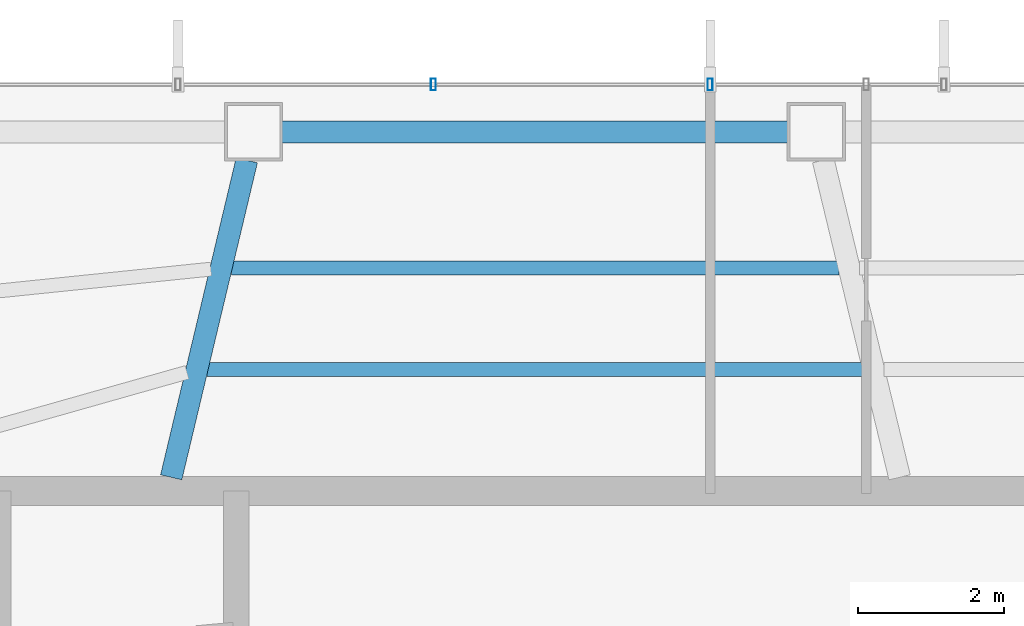
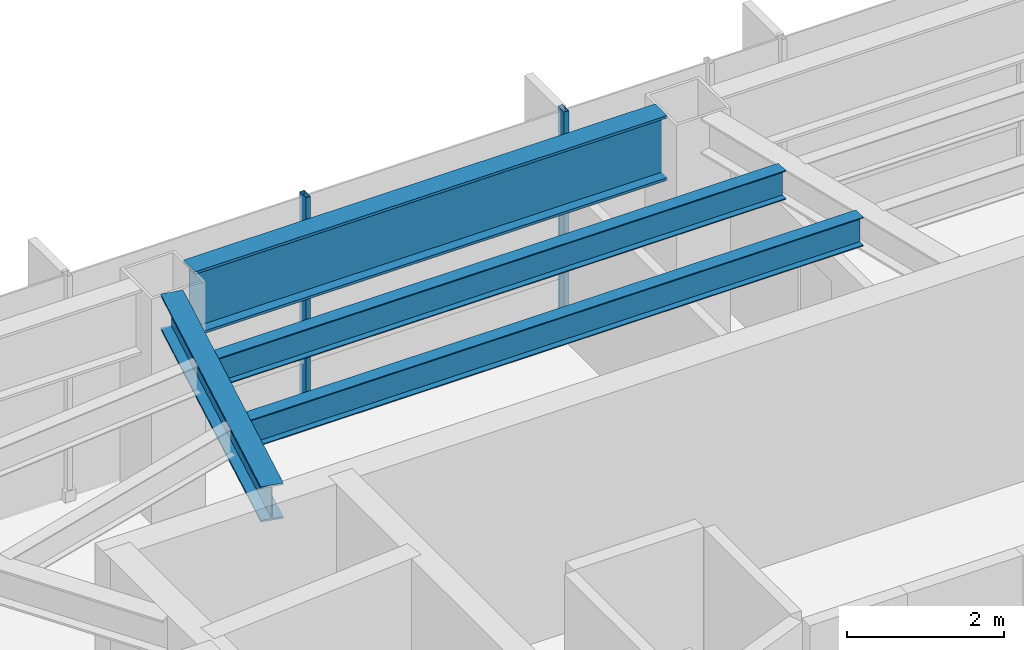
# One storey, part 14 of 28: 4 beams, 2 members, 1 element without a shape of its own.
"""IFC4 building model written with IfcOpenShell, lengths in metres."""

import ifcopenshell
import ifcopenshell.guid

model = None  # the IFC model being written
_history = None  # IfcOwnerHistory: only IFC2X3 demands one
_inside = {}  # id of a spatial element -> (the spatial element, [elements in it])
_under = {}  # id of a project, library or spatial element -> (it, [spatial elements below it])
_declared = {}  # id of a project -> (the project, [libraries it declares])
_typed = {}  # id of a type object -> (the type object, [elements of that type])
_made_of = {}  # id of a material, layer set ... -> (it, [elements and type objects made of it])


def new_model(schema):
    """Start an empty IFC model of exactly this schema.

    Asked for "IFC4X3", IfcOpenShell would pick the latest addendum, in which some entities
    have other attributes; the version numbers below select the first issue.
    IFC2X3 requires an IfcOwnerHistory on every rooted entity: one is made here for all.
    """
    global model, _history
    if schema == "IFC4X3":
        model = ifcopenshell.file(schema_version=(4, 3, 0, 0))
    else:
        model = ifcopenshell.file(schema=schema)
    _inside.clear()
    _under.clear()
    _declared.clear()
    _typed.clear()
    _made_of.clear()
    _history = None
    if model.schema == "IFC2X3":
        org = make("IfcOrganization", Name="unknown")
        user = make(
            "IfcPersonAndOrganization",
            ThePerson=make("IfcPerson", FamilyName="unknown"),
            TheOrganization=org,
        )
        app = make(
            "IfcApplication",
            ApplicationDeveloper=org,
            Version="unknown",
            ApplicationFullName="unknown",
            ApplicationIdentifier="unknown",
        )
        _history = make(
            "IfcOwnerHistory",
            OwningUser=user,
            OwningApplication=app,
            ChangeAction="ADDED",
            CreationDate=0,
        )
    return model


def make(cls, **values):
    """One entity of the class cls with the attributes given. An attribute that is None is left unset."""
    return model.create_entity(
        cls, **{name: value for name, value in values.items() if value is not None}
    )


def rooted(cls, **values):
    """An entity with a GlobalId (a new one), such as an element, a storey or a relation."""
    return make(cls, GlobalId=ifcopenshell.guid.new(), OwnerHistory=_history, **values)


def si_unit(unit_type, name, prefix=None):
    """IfcSIUnit, for example si_unit("LENGTHUNIT", "METRE", prefix="MILLI")."""
    return make("IfcSIUnit", UnitType=unit_type, Prefix=prefix, Name=name)


def assignment(units):
    """IfcUnitAssignment: the units of a project."""
    return None if units is None else make("IfcUnitAssignment", Units=units)


def point(xyz):
    """IfcCartesianPoint."""
    return None if xyz is None else make("IfcCartesianPoint", Coordinates=xyz)


def direction(xyz):
    """IfcDirection."""
    return None if xyz is None else make("IfcDirection", DirectionRatios=xyz)


def frame(location, z_axis=None, x_axis=None):
    """IfcAxis2Placement3D, a coordinate frame: its origin and axes. An axis left out is left unset."""
    return make(
        "IfcAxis2Placement3D",
        Location=point(location),
        Axis=direction(z_axis),
        RefDirection=direction(x_axis),
    )


def frame_2d(location, x_axis=None):
    """IfcAxis2Placement2D, a coordinate frame in the plane: its origin and x axis."""
    return make(
        "IfcAxis2Placement2D", Location=point(location), RefDirection=direction(x_axis)
    )


def origin():
    """The frame at (0, 0, 0) with its axes left unset."""
    return frame((0.0, 0.0, 0.0))


def origin_2d():
    """The frame at (0, 0) in the plane with its x axis left unset."""
    return frame_2d((0.0, 0.0))


def place(relative_to, where):
    """IfcLocalPlacement: puts the frame where relative to a parent placement (None: the world)."""
    return make(
        "IfcLocalPlacement", PlacementRelTo=relative_to, RelativePlacement=where
    )


def context(
    kind, dimensions, precision=None, world=None, true_north=None, identifier=None
):
    """IfcGeometricRepresentationContext, for example the 3D "Model" context."""
    return make(
        "IfcGeometricRepresentationContext",
        ContextIdentifier=identifier,
        ContextType=kind,
        CoordinateSpaceDimension=dimensions,
        Precision=precision,
        WorldCoordinateSystem=world,
        TrueNorth=true_north,
    )


def subcontext(parent, identifier, kind, view, scale=None):
    """IfcGeometricRepresentationSubContext, for example "Body" below "Model"."""
    return make(
        "IfcGeometricRepresentationSubContext",
        ContextIdentifier=identifier,
        ContextType=kind,
        ParentContext=parent,
        TargetScale=scale,
        TargetView=view,
    )


def project(units=None, contexts=None):
    """IfcProject with its units and contexts."""
    return rooted(
        "IfcProject",
        Name="project",
        RepresentationContexts=contexts,
        UnitsInContext=assignment(units),
    )


def spatial(cls, under=None, at=None, **own):
    """A site, building, storey or space (cls), placed at a placement, below another one or the project."""
    s = rooted(cls, ObjectPlacement=at, **own)
    if under is not None:
        _under.setdefault(under.id(), (under, []))[1].append(s)
    return s


def profile(cls, at=None, kind="AREA", **sizes):
    """A parametric profile (cls). Its sizes go by their IFC names, for example OverallWidth=200.0."""
    return make(cls, ProfileType=kind, Position=at, **sizes)


def hollow_rectangle(**sizes):
    """IfcRectangleHollowProfileDef."""
    return profile("IfcRectangleHollowProfileDef", **sizes)


def i_section(**sizes):
    """IfcIShapeProfileDef."""
    return profile("IfcIShapeProfileDef", **sizes)


def extrude(swept, where, along, depth):
    """IfcExtrudedAreaSolid: the profile swept, set in the frame where, extruded along a direction by depth."""
    return make(
        "IfcExtrudedAreaSolid",
        SweptArea=swept,
        Position=where,
        ExtrudedDirection=direction(along),
        Depth=depth,
    )


def shape(context_of_items, identifier, shape_type, items):
    """IfcShapeRepresentation: the items that make up one representation, for example the "Body"."""
    return make(
        "IfcShapeRepresentation",
        ContextOfItems=context_of_items,
        RepresentationIdentifier=identifier,
        RepresentationType=shape_type,
        Items=items,
    )


def material(Name=None, Category=None):
    """IfcMaterial."""
    return make("IfcMaterial", Name=Name, Category=Category)


def layer(
    of_material, thickness, ventilated=None, Name=None, Category=None, Priority=None
):
    """IfcMaterialLayer: one layer of a wall or slab, of a material (None: an air gap)."""
    return make(
        "IfcMaterialLayer",
        Material=of_material,
        LayerThickness=thickness,
        IsVentilated=ventilated,
        Name=Name,
        Category=Category,
        Priority=Priority,
    )


def layer_set(layers, Name=None):
    """IfcMaterialLayerSet."""
    return make("IfcMaterialLayerSet", MaterialLayers=layers, LayerSetName=Name)


def material_profile(
    of_material, cross_section, Name=None, Category=None, Priority=None
):
    """IfcMaterialProfile: a cross section and its material."""
    return make(
        "IfcMaterialProfile",
        Name=Name,
        Material=of_material,
        Profile=cross_section,
        Priority=Priority,
        Category=Category,
    )


def profile_set(profiles, Name=None, composite=None):
    """IfcMaterialProfileSet."""
    return make(
        "IfcMaterialProfileSet",
        Name=Name,
        MaterialProfiles=profiles,
        CompositeProfile=composite,
    )


def made_of(thing, what):
    """Note that an element or type object is made of a material, layer set ...; save() writes the relation."""
    if what is not None:
        _made_of.setdefault(what.id(), (what, []))[1].append(thing)
    return thing


def type_object(cls, material=None, **own):
    """A type object (cls), such as IfcWallType, which elements share."""
    return made_of(rooted(cls, **own), material)


def element(
    cls,
    number,
    at=None,
    inside=None,
    cuts=None,
    type_object=None,
    material=None,
    context=None,
    identifier="Body",
    shape_type=None,
    held_by="IfcProductDefinitionShape",
    body=None,
    shapes=None,
    **own,
):
    """One element of the class cls, such as IfcWall. Its Tag is "e" and its number.

    at: its placement. inside: the storey or other place that contains it. cuts: it is an
    opening in that element (IfcRelVoidsElement). A single representation is given by context,
    identifier, shape_type and body (its items); several are given by shapes. held_by: the class
    of the entity that holds the representations. save() writes the other relations.
    """
    e = rooted(cls, Tag="e%d" % number, ObjectPlacement=at, **own)
    if body is not None:
        shapes = [shape(context, identifier, shape_type, body)]
    if shapes is not None:
        e.Representation = make(held_by, Representations=shapes)
    if inside is not None:
        _inside.setdefault(inside.id(), (inside, []))[1].append(e)
    if cuts is not None:
        rooted(
            "IfcRelVoidsElement", RelatingBuildingElement=cuts, RelatedOpeningElement=e
        )
    if type_object is not None:
        _typed.setdefault(type_object.id(), (type_object, []))[1].append(e)
    return made_of(e, material)


def aggregate(whole, parts):
    """IfcRelAggregates: a whole, such as a stair, and the parts it consists of."""
    return rooted("IfcRelAggregates", RelatingObject=whole, RelatedObjects=parts)


def save(model, path):
    """Write the relations noted so far, then the file.

    IfcRelAggregates (storeys below a building ...), IfcRelContainedInSpatialStructure (elements
    in a storey), IfcRelDefinesByType, IfcRelAssociatesMaterial and IfcRelDeclares: one each for
    every whole, place, type object, material and project.
    """
    for whole, parts in _under.values():
        aggregate(whole, parts)
    for where, things in _inside.values():
        rooted(
            "IfcRelContainedInSpatialStructure",
            RelatedElements=things,
            RelatingStructure=where,
        )
    for kind, things in _typed.values():
        rooted("IfcRelDefinesByType", RelatedObjects=things, RelatingType=kind)
    for what, things in _made_of.values():
        rooted("IfcRelAssociatesMaterial", RelatedObjects=things, RelatingMaterial=what)
    for by, libraries in _declared.values():
        rooted("IfcRelDeclares", RelatingContext=by, RelatedDefinitions=libraries)
    model.write(path)


model = new_model("IFC4")

# Units and contexts
model_context = context("Model", 3, precision=1e-05, world=origin(), true_north=direction((0.0, 1.0)))
body_context = subcontext(model_context, "Body", "Model", "MODEL_VIEW")
ifc_project = project(units=[si_unit("LENGTHUNIT", "METRE"), si_unit("AREAUNIT", "SQUARE_METRE"), si_unit("VOLUMEUNIT", "CUBIC_METRE"), si_unit("PLANEANGLEUNIT", "RADIAN"), si_unit("MASSUNIT", "GRAM", prefix="KILO")], contexts=[model_context])

# Site, building, storey
site_placement = place(None, origin())
site = spatial("IfcSite", under=ifc_project, at=site_placement, CompositionType="ELEMENT")
building_placement = place(site_placement, origin())
building = spatial("IfcBuilding", under=site, at=building_placement, Name="Zarrinselat Tower", CompositionType="ELEMENT")
storey_placement = place(building_placement, frame((0.0, 0.0, 149.60009765625)))
storey = spatial("IfcBuildingStorey", under=building, at=storey_placement, Name="L36", CompositionType="ELEMENT", Elevation=149.60009765625)

# Beams
ifc_material_1 = material(Name="Steel S355J2", Category="steel")
ifc_material_profile_1 = material_profile(ifc_material_1, i_section(OverallWidth=0.300048828125, OverallDepth=0.550048828125, WebThickness=0.014892578125, FlangeThickness=0.029052734375, at=origin_2d()), Name="HEB 550")
ifc_profile_set_1 = profile_set([ifc_material_profile_1], Name="Steel S355J2")
beam_type_1 = type_object("IfcBeamType", Name="BM-HEB550", PredefinedType="BEAM", material=ifc_profile_set_1)
beam_1_placement = place(storey_placement, frame((31.0, 43.639892578125, 3.224853515625), z_axis=(0.231954927878, 0.972726534764, 0.0), x_axis=(-0.972726534764, 0.231954927878, 0.0)))
element("IfcBeam", 1, at=beam_1_placement, inside=storey, type_object=beam_type_1, Name="L36 Radial Primary Girder RG04", PredefinedType="BEAM", context=body_context, shape_type="SweptSolid", body=[
    extrude(i_section(OverallWidth=0.300048828125, OverallDepth=0.550048828125, WebThickness=0.014892578125, FlangeThickness=0.029052734375, at=origin_2d()), origin(), (0.0, 0.0, 1.0), 4.474365234375),
])
ifc_material_2 = material(Name="Steel S460M", Category="steel")
ifc_material_profile_2 = material_profile(ifc_material_2, i_section(OverallWidth=0.302001953125, OverallDepth=1.008056640625, WebThickness=0.02099609375, FlangeThickness=0.0400390625, at=origin_2d()), Name="HEM 1000")
ifc_profile_set_2 = profile_set([ifc_material_profile_2], Name="Steel S460M")
beam_type_2 = type_object("IfcBeamType", Name="BM-HEM1000", PredefinedType="BEAM", material=ifc_profile_set_2)
beam_2_placement = place(storey_placement, frame((32.51904296875, 48.38330078125, 2.995849609375), z_axis=(1.0, 0.0, 0.0), x_axis=(0.0, 1.0, 0.0)))
element("IfcBeam", 2, at=beam_2_placement, inside=storey, type_object=beam_type_2, Name="L36 Perimeter Spandrel Girder SP03", PredefinedType="BEAM", context=body_context, shape_type="SweptSolid", body=[
    extrude(i_section(OverallWidth=0.302001953125, OverallDepth=1.008056640625, WebThickness=0.02099609375, FlangeThickness=0.0400390625, at=origin_2d()), origin(), (0.0, 0.0, 1.0), 6.9501953125),
])
ifc_material_3 = material(Name="Steel S355J2", Category="steel")
ifc_material_profile_3 = material_profile(ifc_material_3, i_section(OverallWidth=0.18994140625, OverallDepth=0.449951171875, WebThickness=0.009521484375, FlangeThickness=0.0146484375, at=origin_2d()), Name="IPE 450")
ifc_profile_set_3 = profile_set([ifc_material_profile_3], Name="Steel S355J2")
beam_type_3 = type_object("IfcBeamType", Name="BM-IPE450", PredefinedType="JOIST", material=ifc_profile_set_3)
beam_3_placement = place(storey_placement, frame((31.824951171875, 46.512451171875, 3.27490234375), z_axis=(0.999999999572, 2.9262868e-05, 0.0), x_axis=(-2.9262868e-05, 0.999999999572, 0.0)))
element("IfcBeam", 3, at=beam_3_placement, inside=storey, type_object=beam_type_3, Name="L36 Composite Floor Joist 8-1", PredefinedType="JOIST", context=body_context, shape_type="SweptSolid", body=[
    extrude(i_section(OverallWidth=0.18994140625, OverallDepth=0.449951171875, WebThickness=0.009521484375, FlangeThickness=0.0146484375, at=origin_2d()), origin(), (0.0, 0.0, 1.0), 8.343017578125),
])
beam_4_placement = place(storey_placement, frame((31.492919921875, 45.119873046875, 3.27490234375), z_axis=(1.0, 0.0, 0.0), x_axis=(0.0, 1.0, 0.0)))
element("IfcBeam", 4, at=beam_4_placement, inside=storey, type_object=beam_type_3, Name="L36 Composite Floor Joist 8-2", PredefinedType="JOIST", context=body_context, shape_type="SweptSolid", body=[
    extrude(i_section(OverallWidth=0.18994140625, OverallDepth=0.449951171875, WebThickness=0.009521484375, FlangeThickness=0.0146484375, at=origin_2d()), origin(), (0.0, 0.0, 1.0), 9.010498046875),
])

# Curtain wall, members
ifc_material_4 = material(Name="Extruded Aluminium Alloy EN AW-6063 T6", Category="aluminium")
ifc_layer = layer(ifc_material_4, 0.175048828125)
ifc_layer_set = layer_set([ifc_layer], Name="Extruded Aluminium Alloy EN AW-6063 T6")
curtain_wall_type = type_object("IfcCurtainWallType", Name="CWS-HTL", PredefinedType="NOTDEFINED", material=ifc_layer_set)
curtain_wall_placement = place(storey_placement, origin())
curtain_wall = element("IfcCurtainWall", 5, at=curtain_wall_placement, inside=storey, type_object=curtain_wall_type, Name="L36 Unitised Curtain Wall CW-L36-E01", PredefinedType="NOTDEFINED")
ifc_material_5 = material(Name="Extruded Aluminium Alloy EN AW-6063 T6", Category="aluminium")
ifc_material_profile_4 = material_profile(ifc_material_5, hollow_rectangle(XDim=0.070068359375, YDim=0.159912109375, WallThickness=0.00390625, at=origin_2d()), Name="RHS 160x70x4")
ifc_profile_set_4 = profile_set([ifc_material_profile_4], Name="Extruded Aluminium Alloy EN AW-6063 T6")
member_type = type_object("IfcMemberType", Name="MEM-CW-MUL2", PredefinedType="MULLION", material=ifc_profile_set_4)
member_1_placement = place(storey_placement, frame((38.39990234375, 49.033203125, 0.0), z_axis=(0.0, 0.0, 1.0), x_axis=(-1.0, 0.0, 0.0)))
member_1 = element("IfcMember", 6, at=member_1_placement, type_object=member_type, Name="CW-L36-E01 Mullion 7", PredefinedType="MULLION", context=body_context, shape_type="SweptSolid", body=[
    extrude(hollow_rectangle(XDim=0.070068359375, YDim=0.159912109375, WallThickness=0.00390625, at=origin_2d()), origin(), (0.0, 0.0, 1.0), 3.5),
])
member_2_placement = place(storey_placement, frame((34.598876953125, 49.033203125, 0.0), z_axis=(0.0, 0.0, 1.0), x_axis=(-1.0, 0.0, 0.0)))
member_2 = element("IfcMember", 7, at=member_2_placement, type_object=member_type, Name="CW-L36-E01 Mullion 8", PredefinedType="MULLION", context=body_context, shape_type="SweptSolid", body=[
    extrude(hollow_rectangle(XDim=0.070068359375, YDim=0.159912109375, WallThickness=0.00390625, at=origin_2d()), origin(), (0.0, 0.0, 1.0), 3.5),
])
aggregate(curtain_wall, [member_1, member_2])

save(model, "model.ifc")
